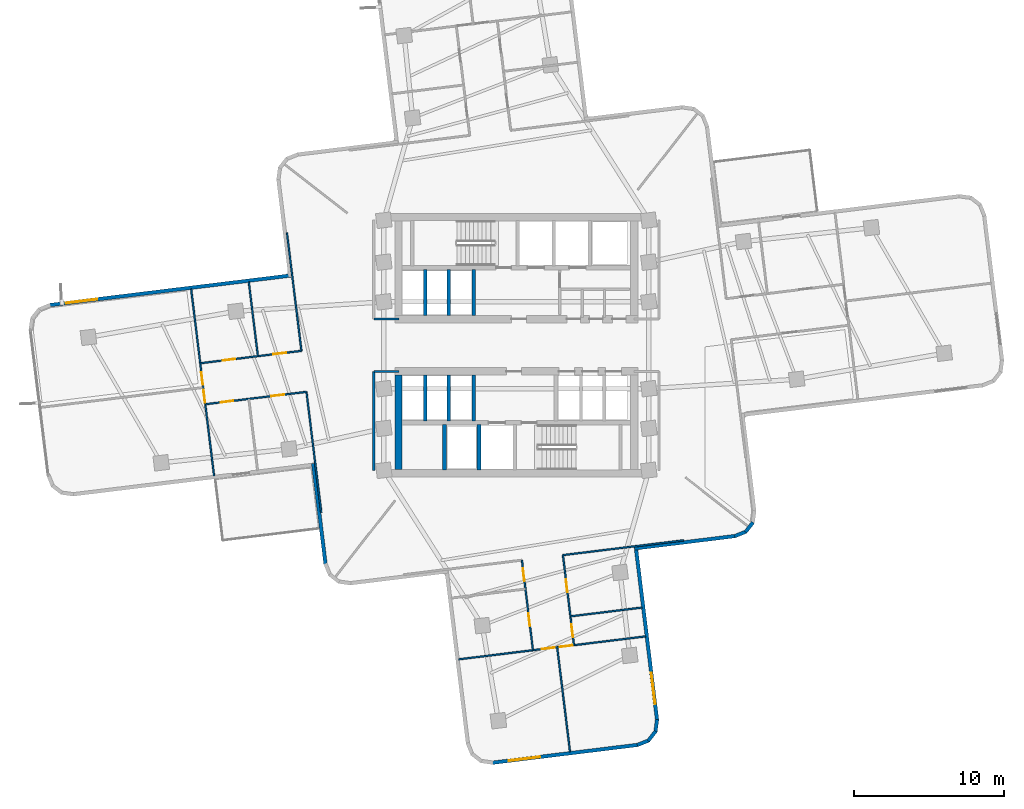
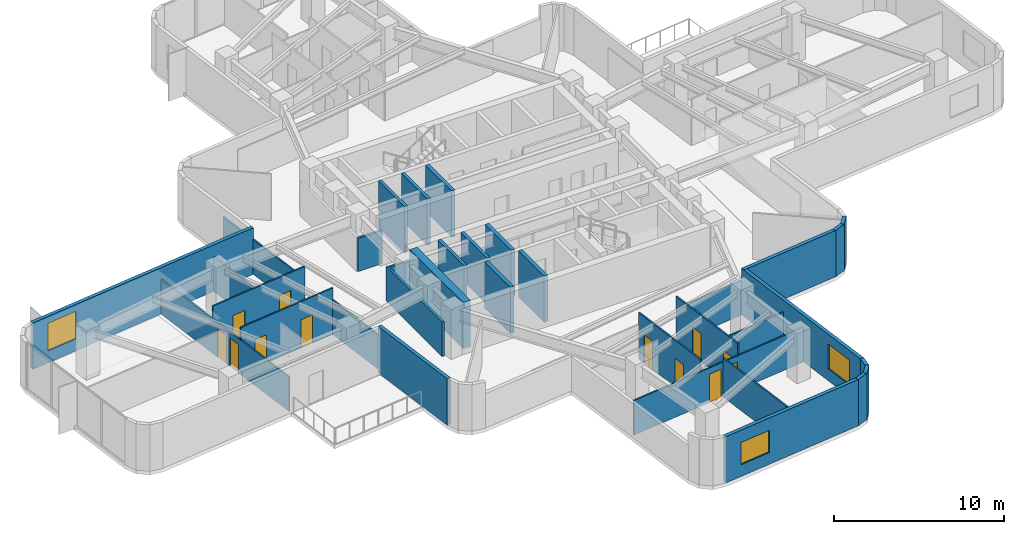
# One storey, part 7 of 13: 34 walls, 12 doors, 3 windows, 15 openings.
"""IFC4 building model written with IfcOpenShell, lengths in metres."""

from ifc_helpers import new_model, si_unit, direction, frame, frame_2d, origin, place, context, subcontext, project, spatial, rectangle, extrude, material, layer, layer_set, type_object, element, fill, save


model = new_model("IFC4")

# Units and contexts
model_context = context("Model", 3, precision=1e-05, world=origin(), true_north=direction((0.0, 1.0)))
body_context = subcontext(model_context, "Body", "Model", "MODEL_VIEW")
ifc_project = project(units=[si_unit("LENGTHUNIT", "METRE"), si_unit("AREAUNIT", "SQUARE_METRE"), si_unit("VOLUMEUNIT", "CUBIC_METRE"), si_unit("PLANEANGLEUNIT", "RADIAN"), si_unit("MASSUNIT", "GRAM", prefix="KILO")], contexts=[model_context])

# Site, building, storey
site_placement = place(None, origin())
site = spatial("IfcSite", under=ifc_project, at=site_placement, CompositionType="ELEMENT")
building_placement = place(site_placement, origin())
building = spatial("IfcBuilding", under=site, at=building_placement, Name="Solmarez Civic Tower", CompositionType="ELEMENT")
storey_placement = place(building_placement, frame((0.0, 0.0, 82.080078125)))
storey = spatial("IfcBuildingStorey", under=building, at=storey_placement, Name="L21", CompositionType="ELEMENT", Elevation=82.080078125)

# Wall
ifc_material_1 = material(Name="Concrete C60/75", Category="concrete")
ifc_layer_1 = layer(ifc_material_1, 0.5)
ifc_layer_set_1 = layer_set([ifc_layer_1], Name="Concrete C60/75")
wall_type_1 = type_object("IfcWallType", Name="WALL-CORE-500", PredefinedType="SHEAR", material=ifc_layer_set_1)
wall_1_placement = place(storey_placement, frame((-7.8701171875, -8.31005859375, 0.0), z_axis=(0.0, 0.0, 1.0), x_axis=(0.0, 1.0, 0.0)))
element("IfcWall", 1, at=wall_1_placement, inside=storey, type_object=wall_type_1, Name="L21 Split-Core Structural Wall SCW-W-L21", PredefinedType="SHEAR", context=body_context, shape_type="SweptSolid", body=[
    extrude(rectangle(XDim=6.31005859375, YDim=0.5, at=frame_2d((3.155029296875, 0.0))), origin(), (0.0, 0.0, 1.0), 3.33984375),
])

# Wall, opening, window
ifc_material_2 = material(Name="Precast concrete C40/50", Category="concrete")
ifc_layer_2 = layer(ifc_material_2, 0.239990234375)
ifc_layer_set_2 = layer_set([ifc_layer_2], Name="Precast concrete C40/50")
wall_type_2 = type_object("IfcWallType", Name="WALL-EXT-240", PredefinedType="SOLIDWALL", material=ifc_layer_set_2)
wall_2_placement = place(storey_placement, frame((-31.1689453125, 2.681884765625, 0.0), z_axis=(0.0, 0.0, 1.0), x_axis=(0.992548484973, 0.121850338438, 0.0)))
wall_2 = element("IfcWall", 2, at=wall_2_placement, inside=storey, type_object=wall_type_2, Name="L21 Exterior Precast Wall 10", PredefinedType="SOLIDWALL", context=body_context, shape_type="SweptSolid", body=[
    extrude(rectangle(XDim=16.275390625, YDim=0.239990234375, at=frame_2d((8.1376953125, 0.0))), origin(), (0.0, 0.0, 1.0), 3.33984375),
])
opening_1_placement = place(wall_2_placement, frame((1.10009765625, 0.0, 0.85009765625)))
opening_1 = element("IfcOpeningElement", 3, at=opening_1_placement, cuts=wall_2, Name="Opening W-03", PredefinedType="OPENING", context=body_context, shape_type="SweptSolid", body=[
    extrude(rectangle(XDim=2.10009765625, YDim=2.0, at=frame_2d((1.050048828125, 1.0))), frame((0.0, 0.1298828125, 0.0), z_axis=(0.0, -1.0, 0.0), x_axis=(1.0, 0.0, 0.0)), (0.0, 0.0, 1.0), 0.260009765625),
])
ifc_material_3 = material(Name="Solar Control Bronze-Tinted Insulating Glass", Category="glass")
window_type_1 = type_object("IfcWindowType", Name="WIN-2100X2000", PartitioningType="SINGLE_PANEL", PredefinedType="WINDOW", material=ifc_material_3)
window_1_placement = place(opening_1_placement, origin())
window_1 = element("IfcWindow", 4, at=window_1_placement, inside=storey, type_object=window_type_1, Name="L21 Exterior Facade Window 10", OverallHeight=2.0, OverallWidth=2.10009765625, PartitioningType="SINGLE_PANEL", PredefinedType="WINDOW", context=body_context, shape_type="SweptSolid", body=[
    extrude(rectangle(XDim=2.10009765625, YDim=2.0, at=frame_2d((1.050048828125, 1.0))), frame((0.0, 0.030029296875, 0.0), z_axis=(0.0, -1.0, 0.0), x_axis=(1.0, 0.0, 0.0)), (0.0, 0.0, 1.0), 0.06005859375),
])
fill(opening_1, window_1)

# Walls
wall_3_placement = place(storey_placement, frame((15.804931640625, -11.83203125, 0.0), z_axis=(0.0, 0.0, 1.0), x_axis=(-0.614397431824, -0.788996702001, 0.0)))
element("IfcWall", 5, at=wall_3_placement, inside=storey, type_object=wall_type_2, Name="L21 Exterior Precast Wall 51", PredefinedType="SOLIDWALL", context=body_context, shape_type="SweptSolid", body=[
    extrude(rectangle(XDim=0.813720703125, YDim=0.239990234375, at=frame_2d((0.40673828125, 0.0))), origin(), (0.0, 0.0, 1.0), 3.33984375),
])
wall_4_placement = place(storey_placement, frame((15.343017578125, -12.445068359375, 0.0), z_axis=(0.0, 0.0, 1.0), x_axis=(-0.927724225254, -0.37326634174, 0.0)))
element("IfcWall", 6, at=wall_4_placement, inside=storey, type_object=wall_type_2, Name="L21 Exterior Precast Wall 52", PredefinedType="SOLIDWALL", context=body_context, shape_type="SweptSolid", body=[
    extrude(rectangle(XDim=0.830078125, YDim=0.239990234375, at=frame_2d((0.4150390625, 0.0))), origin(), (0.0, 0.0, 1.0), 3.33984375),
])
wall_5_placement = place(storey_placement, frame((14.62109375, -12.742919921875, 0.0), z_axis=(0.0, 0.0, 1.0), x_axis=(-0.992536263595, -0.121949848087, 0.0)))
element("IfcWall", 7, at=wall_5_placement, inside=storey, type_object=wall_type_2, Name="L21 Exterior Precast Wall 53", PredefinedType="SOLIDWALL", context=body_context, shape_type="SweptSolid", body=[
    extrude(rectangle(XDim=6.774658203125, YDim=0.239990234375, at=frame_2d((3.38720703125, 0.0))), origin(), (0.0, 0.0, 1.0), 3.33984375),
])

# Wall, opening, window
wall_6_placement = place(storey_placement, frame((7.97998046875, -13.4619140625, 0.0), z_axis=(0.0, 0.0, 1.0), x_axis=(0.121890578705, -0.992543544044, 0.0)))
wall_6 = element("IfcWall", 8, at=wall_6_placement, inside=storey, type_object=wall_type_2, Name="L21 Exterior Precast Wall 56", PredefinedType="SOLIDWALL", context=body_context, shape_type="SweptSolid", body=[
    extrude(rectangle(XDim=11.67529296875, YDim=0.239990234375, at=frame_2d((5.837646484375, 0.0))), origin(), (0.0, 0.0, 1.0), 3.33984375),
])
opening_2_placement = place(wall_6_placement, frame((8.47509765625, 0.0, 0.85009765625)))
opening_2 = element("IfcOpeningElement", 9, at=opening_2_placement, cuts=wall_6, Name="Opening W-07", PredefinedType="OPENING", context=body_context, shape_type="SweptSolid", body=[
    extrude(rectangle(XDim=2.10009765625, YDim=1.800048828125, at=frame_2d((1.050048828125, 0.89990234375))), frame((0.0, 0.1298828125, 0.0), z_axis=(0.0, -1.0, 0.0), x_axis=(1.0, 0.0, 0.0)), (0.0, 0.0, 1.0), 0.260009765625),
])
window_type_2 = type_object("IfcWindowType", Name="WIN-2100X1800", PartitioningType="SINGLE_PANEL", PredefinedType="WINDOW", material=ifc_material_3)
window_2_placement = place(opening_2_placement, origin())
window_2 = element("IfcWindow", 10, at=window_2_placement, inside=storey, type_object=window_type_2, Name="L21 Exterior Facade Window 56", OverallHeight=1.800048828125, OverallWidth=2.10009765625, PartitioningType="SINGLE_PANEL", PredefinedType="WINDOW", context=body_context, shape_type="SweptSolid", body=[
    extrude(rectangle(XDim=2.10009765625, YDim=1.800048828125, at=frame_2d((1.050048828125, 0.89990234375))), frame((0.0, 0.030029296875, 0.0), z_axis=(0.0, -1.0, 0.0), x_axis=(1.0, 0.0, 0.0)), (0.0, 0.0, 1.0), 0.06005859375),
])
fill(opening_2, window_2)

# Walls
wall_7_placement = place(storey_placement, frame((9.403076171875, -25.0, 0.0), z_axis=(0.0, 0.0, 1.0), x_axis=(-0.138376981782, -0.990379629694, 0.0)))
element("IfcWall", 11, at=wall_7_placement, inside=storey, type_object=wall_type_2, Name="L21 Exterior Precast Wall 57", PredefinedType="SOLIDWALL", context=body_context, shape_type="SweptSolid", body=[
    extrude(rectangle(XDim=0.8310546875, YDim=0.239990234375, at=frame_2d((0.41552734375, 0.0))), origin(), (0.0, 0.0, 1.0), 3.33984375),
])
wall_8_placement = place(storey_placement, frame((9.305908203125, -25.778076171875, 0.0), z_axis=(0.0, 0.0, 1.0), x_axis=(-0.614542882467, -0.788883416995, 0.0)))
element("IfcWall", 12, at=wall_8_placement, inside=storey, type_object=wall_type_2, Name="L21 Exterior Precast Wall 58", PredefinedType="SOLIDWALL", context=body_context, shape_type="SweptSolid", body=[
    extrude(rectangle(XDim=0.813720703125, YDim=0.239990234375, at=frame_2d((0.40673828125, 0.0))), origin(), (0.0, 0.0, 1.0), 3.33984375),
])
wall_9_placement = place(storey_placement, frame((8.843994140625, -26.39111328125, 0.0), z_axis=(0.0, 0.0, 1.0), x_axis=(-0.92756002783, -0.37367418264, 0.0)))
element("IfcWall", 13, at=wall_9_placement, inside=storey, type_object=wall_type_2, Name="L21 Exterior Precast Wall 59", PredefinedType="SOLIDWALL", context=body_context, shape_type="SweptSolid", body=[
    extrude(rectangle(XDim=0.8291015625, YDim=0.239990234375, at=frame_2d((0.41455078125, 0.0))), origin(), (0.0, 0.0, 1.0), 3.33984375),
])

# Wall, opening, window
wall_10_placement = place(storey_placement, frame((8.123046875, -26.68896484375, 0.0), z_axis=(0.0, 0.0, 1.0), x_axis=(-0.992547632308, -0.12185728374, 0.0)))
wall_10 = element("IfcWall", 14, at=wall_10_placement, inside=storey, type_object=wall_type_2, Name="L21 Exterior Precast Wall 60", PredefinedType="SOLIDWALL", context=body_context, shape_type="SweptSolid", body=[
    extrude(rectangle(XDim=9.799072265625, YDim=0.239990234375, at=frame_2d((4.8994140625, 0.0))), origin(), (0.0, 0.0, 1.0), 3.33984375),
])
opening_3_placement = place(wall_10_placement, frame((6.593017578125, 0.0, 0.85009765625)))
opening_3 = element("IfcOpeningElement", 15, at=opening_3_placement, cuts=wall_10, Name="Opening W-11", PredefinedType="OPENING", context=body_context, shape_type="SweptSolid", body=[
    extrude(rectangle(XDim=2.10009765625, YDim=1.60009765625, at=frame_2d((1.050048828125, 0.800048828125))), frame((0.0, 0.1298828125, 0.0), z_axis=(0.0, -1.0, 0.0), x_axis=(1.0, 0.0, 0.0)), (0.0, 0.0, 1.0), 0.260009765625),
])
window_type_3 = type_object("IfcWindowType", Name="WIN-2100X1600", PartitioningType="SINGLE_PANEL", PredefinedType="WINDOW", material=ifc_material_3)
window_3_placement = place(opening_3_placement, origin())
window_3 = element("IfcWindow", 16, at=window_3_placement, inside=storey, type_object=window_type_3, Name="L21 Exterior Facade Window 60", OverallHeight=1.60009765625, OverallWidth=2.10009765625, PartitioningType="SINGLE_PANEL", PredefinedType="WINDOW", context=body_context, shape_type="SweptSolid", body=[
    extrude(rectangle(XDim=2.10009765625, YDim=1.60009765625, at=frame_2d((1.050048828125, 0.800048828125))), frame((0.0, 0.030029296875, 0.0), z_axis=(0.0, -1.0, 0.0), x_axis=(1.0, 0.0, 0.0)), (0.0, 0.0, 1.0), 0.06005859375),
])
fill(opening_3, window_3)

# Walls
wall_11_placement = place(storey_placement, frame((-12.742919921875, -14.62109375, 0.0), z_axis=(0.0, 0.0, 1.0), x_axis=(-0.121949848087, 0.992536263595, 0.0)))
element("IfcWall", 17, at=wall_11_placement, inside=storey, type_object=wall_type_2, Name="L21 Exterior Precast Wall 71", PredefinedType="SOLIDWALL", context=body_context, shape_type="SweptSolid", body=[
    extrude(rectangle(XDim=6.774658203125, YDim=0.239990234375, at=frame_2d((3.38720703125, 0.0))), origin(), (0.0, 0.0, 1.0), 3.33984375),
])
ifc_material_4 = material(Name="Gypsum Board Acoustic Steel-Stud Partition", Category="steel")
ifc_layer_3 = layer(ifc_material_4, 0.14990234375)
ifc_layer_set_3 = layer_set([ifc_layer_3], Name="Gypsum Board Acoustic Steel-Stud Partition")
wall_type_3 = type_object("IfcWallType", Name="WALL-INT-FIRE-150", PredefinedType="PARTITIONING", material=ifc_layer_set_3)
wall_12_placement = place(storey_placement, frame((-7.85009765625, 1.75, 0.0), z_axis=(0.0, 0.0, 1.0), x_axis=(-1.0, 0.0, 0.0)))
element("IfcWall", 18, at=wall_12_placement, inside=storey, type_object=wall_type_3, Name="L21 Interior Partition CHW-L21-WN3", PredefinedType="PARTITIONING", context=body_context, shape_type="SweptSolid", body=[
    extrude(rectangle(XDim=1.669921875, YDim=0.14990234375, at=frame_2d((0.8349609375, 0.0))), origin(), (0.0, 0.0, 1.0), 2.405029296875),
])
wall_13_placement = place(storey_placement, frame((-9.52001953125, -8.3798828125, 0.0), z_axis=(0.0, 0.0, 1.0), x_axis=(0.0, 1.0, 0.0)))
element("IfcWall", 19, at=wall_13_placement, inside=storey, type_object=wall_type_3, Name="L21 Interior Partition CHW-L21-WS1", PredefinedType="PARTITIONING", context=body_context, shape_type="SweptSolid", body=[
    extrude(rectangle(XDim=6.6298828125, YDim=0.14990234375, at=frame_2d((3.31494140625, 0.0))), origin(), (0.0, 0.0, 1.0), 2.48583984375),
])
wall_14_placement = place(storey_placement, frame((-7.85009765625, -1.75, 0.0), z_axis=(0.0, 0.0, 1.0), x_axis=(-1.0, 0.0, 0.0)))
element("IfcWall", 20, at=wall_14_placement, inside=storey, type_object=wall_type_3, Name="L21 Interior Partition CHW-L21-WS3", PredefinedType="PARTITIONING", context=body_context, shape_type="SweptSolid", body=[
    extrude(rectangle(XDim=1.669921875, YDim=0.14990234375, at=frame_2d((0.8349609375, 0.0))), origin(), (0.0, 0.0, 1.0), 2.405029296875),
])
ifc_layer_4 = layer(ifc_material_4, 0.10009765625)
ifc_layer_set_4 = layer_set([ifc_layer_4], Name="Gypsum Board Acoustic Steel-Stud Partition")
wall_type_4 = type_object("IfcWallType", Name="WALL-INT-PART-100", PredefinedType="PARTITIONING", material=ifc_layer_set_4)
wall_15_placement = place(storey_placement, frame((-14.01708984375, -3.10107421875, 0.0), z_axis=(0.0, 0.0, 1.0), x_axis=(0.122045971517, -0.992524448483, 0.0)))
element("IfcWall", 21, at=wall_15_placement, inside=storey, type_object=wall_type_4, Name="L21 Interior Partition PT-L21-W-EFL", PredefinedType="PARTITIONING", context=body_context, shape_type="SweptSolid", body=[
    extrude(rectangle(XDim=8.129638671875, YDim=0.10009765625, at=frame_2d((4.06494140625, 0.0))), origin(), (0.0, 0.0, 1.0), 2.48583984375),
])
wall_16_placement = place(storey_placement, frame((-15.320068359375, 7.509033203125, 0.0), z_axis=(0.0, 0.0, 1.0), x_axis=(0.122001160868, -0.992529957607, 0.0)))
element("IfcWall", 22, at=wall_16_placement, inside=storey, type_object=wall_type_4, Name="L21 Interior Partition PT-L21-W-EFR", PredefinedType="PARTITIONING", context=body_context, shape_type="SweptSolid", body=[
    extrude(rectangle(XDim=7.950439453125, YDim=0.10009765625, at=frame_2d((3.97509765625, 0.0))), origin(), (0.0, 0.0, 1.0), 2.48583984375),
])
wall_17_placement = place(storey_placement, frame((-17.868896484375, 4.22900390625, 0.0), z_axis=(0.0, 0.0, 1.0), x_axis=(0.121993075508, -0.992530951421, 0.0)))
element("IfcWall", 23, at=wall_17_placement, inside=storey, type_object=wall_type_4, Name="L21 Interior Partition PT-L21-W-RM", PredefinedType="PARTITIONING", context=body_context, shape_type="SweptSolid", body=[
    extrude(rectangle(XDim=4.97509765625, YDim=0.10009765625, at=frame_2d((2.487548828125, 0.0))), origin(), (0.0, 0.0, 1.0), 2.48583984375),
])

# Wall, openings, doors
wall_18_placement = place(storey_placement, frame((-20.77490234375, -3.94091796875, 0.0), z_axis=(0.0, 0.0, 1.0), x_axis=(0.992549540745, 0.121841738199, 0.0)))
wall_18 = element("IfcWall", 24, at=wall_18_placement, inside=storey, type_object=wall_type_4, Name="L21 Interior Partition PT-L21-W-SL", PredefinedType="PARTITIONING", context=body_context, shape_type="SweptSolid", body=[
    extrude(rectangle(XDim=6.810791015625, YDim=0.10009765625, at=frame_2d((3.4052734375, 0.0))), origin(), (0.0, 0.0, 1.0), 3.33984375),
])
opening_4_placement = place(wall_18_placement, frame((4.44091796875, 0.0, 0.0)))
opening_4 = element("IfcOpeningElement", 25, at=opening_4_placement, cuts=wall_18, Name="Opening D-14", PredefinedType="OPENING", context=body_context, shape_type="SweptSolid", body=[
    extrude(rectangle(XDim=0.860107421875, YDim=2.0400390625, at=frame_2d((0.43017578125, 1.02001953125))), frame((0.0, 0.06005859375, 0.0), z_axis=(0.0, -1.0, 0.0), x_axis=(1.0, 0.0, 0.0)), (0.0, 0.0, 1.0), 0.1201171875),
])
opening_5_placement = place(wall_18_placement, frame((1.035888671875, 0.0, 0.0)))
opening_5 = element("IfcOpeningElement", 26, at=opening_5_placement, cuts=wall_18, Name="Opening D-14", PredefinedType="OPENING", context=body_context, shape_type="SweptSolid", body=[
    extrude(rectangle(XDim=0.860107421875, YDim=2.0400390625, at=frame_2d((0.43017578125, 1.02001953125))), frame((0.0, 0.06005859375, 0.0), z_axis=(0.0, -1.0, 0.0), x_axis=(1.0, 0.0, 0.0)), (0.0, 0.0, 1.0), 0.1201171875),
])
ifc_material_5 = material(Name="Timber Storage and Pantry Door", Category="wood")
door_type = type_object("IfcDoorType", Name="DOOR-INT-850", OperationType="NOTDEFINED", PredefinedType="DOOR", material=ifc_material_5)
door_1_placement = place(opening_4_placement, origin())
door_1 = element("IfcDoor", 27, at=door_1_placement, inside=storey, type_object=door_type, Name="L21 Public Reading Room First West Door", OperationType="SINGLE_SWING_LEFT", OverallHeight=2.0400390625, OverallWidth=0.860107421875, PredefinedType="DOOR", context=body_context, shape_type="SweptSolid", body=[
    extrude(rectangle(XDim=0.860107421875, YDim=2.0400390625, at=frame_2d((0.43017578125, 1.02001953125))), frame((0.0, 0.02490234375, 0.0), z_axis=(0.0, -1.0, 0.0), x_axis=(1.0, 0.0, 0.0)), (0.0, 0.0, 1.0), 0.050048828125),
])
fill(opening_4, door_1)
door_2_placement = place(opening_5_placement, origin())
door_2 = element("IfcDoor", 28, at=door_2_placement, inside=storey, type_object=door_type, Name="L21 Delegates Study Lounge Second West Door", OperationType="SINGLE_SWING_RIGHT", OverallHeight=2.0400390625, OverallWidth=0.860107421875, PredefinedType="DOOR", context=body_context, shape_type="SweptSolid", body=[
    extrude(rectangle(XDim=0.860107421875, YDim=2.0400390625, at=frame_2d((0.43017578125, 1.02001953125))), frame((0.0, 0.02490234375, 0.0), z_axis=(0.0, -1.0, 0.0), x_axis=(1.0, 0.0, 0.0)), (0.0, 0.0, 1.0), 0.050048828125),
])
fill(opening_5, door_2)

wall_19_placement = place(storey_placement, frame((-14.35205078125, -0.3720703125, 0.0), z_axis=(0.0, 0.0, 1.0), x_axis=(-0.992547411675, -0.121859080812, 0.0)))
wall_19 = element("IfcWall", 29, at=wall_19_placement, inside=storey, type_object=wall_type_4, Name="L21 Interior Partition PT-L21-W-SR", PredefinedType="PARTITIONING", context=body_context, shape_type="SweptSolid", body=[
    extrude(rectangle(XDim=6.809814453125, YDim=0.10009765625, at=frame_2d((3.40478515625, 0.0))), origin(), (0.0, 0.0, 1.0), 3.33984375),
])
opening_6_placement = place(wall_19_placement, frame((1.034912109375, 0.0, 0.0)))
opening_6 = element("IfcOpeningElement", 30, at=opening_6_placement, cuts=wall_19, Name="Opening D-14", PredefinedType="OPENING", context=body_context, shape_type="SweptSolid", body=[
    extrude(rectangle(XDim=0.860107421875, YDim=2.0400390625, at=frame_2d((0.43017578125, 1.02001953125))), frame((0.0, 0.06005859375, 0.0), z_axis=(0.0, -1.0, 0.0), x_axis=(1.0, 0.0, 0.0)), (0.0, 0.0, 1.0), 0.1201171875),
])
opening_7_placement = place(wall_19_placement, frame((4.43994140625, 0.0, 0.0)))
opening_7 = element("IfcOpeningElement", 31, at=opening_7_placement, cuts=wall_19, Name="Opening D-14", PredefinedType="OPENING", context=body_context, shape_type="SweptSolid", body=[
    extrude(rectangle(XDim=0.860107421875, YDim=2.0400390625, at=frame_2d((0.43017578125, 1.02001953125))), frame((0.0, 0.06005859375, 0.0), z_axis=(0.0, -1.0, 0.0), x_axis=(1.0, 0.0, 0.0)), (0.0, 0.0, 1.0), 0.1201171875),
])
door_3_placement = place(opening_6_placement, origin())
door_3 = element("IfcDoor", 32, at=door_3_placement, inside=storey, type_object=door_type, Name="L21 Wellness Fitness Room Third West Door", OperationType="SINGLE_SWING_RIGHT", OverallHeight=2.0400390625, OverallWidth=0.860107421875, PredefinedType="DOOR", context=body_context, shape_type="SweptSolid", body=[
    extrude(rectangle(XDim=0.860107421875, YDim=2.0400390625, at=frame_2d((0.43017578125, 1.02001953125))), frame((0.0, 0.02490234375, 0.0), z_axis=(0.0, -1.0, 0.0), x_axis=(1.0, 0.0, 0.0)), (0.0, 0.0, 1.0), 0.050048828125),
])
fill(opening_6, door_3)
door_4_placement = place(opening_7_placement, origin())
door_4 = element("IfcDoor", 33, at=door_4_placement, inside=storey, type_object=door_type, Name="L21 Citizen Legal Clinic Fourth West Door", OperationType="SINGLE_SWING_LEFT", OverallHeight=2.0400390625, OverallWidth=0.860107421875, PredefinedType="DOOR", context=body_context, shape_type="SweptSolid", body=[
    extrude(rectangle(XDim=0.860107421875, YDim=2.0400390625, at=frame_2d((0.43017578125, 1.02001953125))), frame((0.0, 0.02490234375, 0.0), z_axis=(0.0, -1.0, 0.0), x_axis=(1.0, 0.0, 0.0)), (0.0, 0.0, 1.0), 0.050048828125),
])
fill(opening_7, door_4)

wall_20_placement = place(storey_placement, frame((-20.18701171875, -8.719970703125, 0.0), z_axis=(0.0, 0.0, 1.0), x_axis=(-0.121878209661, 0.992545062962, 0.0)))
wall_20 = element("IfcWall", 34, at=wall_20_placement, inside=storey, type_object=wall_type_4, Name="L21 Interior Partition PT-L21-W-END", PredefinedType="PARTITIONING", context=body_context, shape_type="SweptSolid", body=[
    extrude(rectangle(XDim=12.56982421875, YDim=0.10009765625, at=frame_2d((6.284912109375, 0.0))), origin(), (0.0, 0.0, 1.0), 2.48583984375),
])
opening_8_placement = place(wall_20_placement, frame((6.114990234375, 0.0, 0.0)))
opening_8 = element("IfcOpeningElement", 35, at=opening_8_placement, cuts=wall_20, Name="Opening D-14", PredefinedType="OPENING", context=body_context, shape_type="SweptSolid", body=[
    extrude(rectangle(XDim=0.860107421875, YDim=2.0400390625, at=frame_2d((0.43017578125, 1.02001953125))), frame((0.0, 0.06005859375, 0.0), z_axis=(0.0, -1.0, 0.0), x_axis=(1.0, 0.0, 0.0)), (0.0, 0.0, 1.0), 0.1201171875),
])
opening_9_placement = place(wall_20_placement, frame((4.9150390625, 0.0, 0.0)))
opening_9 = element("IfcOpeningElement", 36, at=opening_9_placement, cuts=wall_20, Name="Opening D-14", PredefinedType="OPENING", context=body_context, shape_type="SweptSolid", body=[
    extrude(rectangle(XDim=0.860107421875, YDim=2.0400390625, at=frame_2d((0.43017578125, 1.02001953125))), frame((0.0, 0.06005859375, 0.0), z_axis=(0.0, -1.0, 0.0), x_axis=(1.0, 0.0, 0.0)), (0.0, 0.0, 1.0), 0.1201171875),
])
door_5_placement = place(opening_8_placement, origin())
door_5 = element("IfcDoor", 37, at=door_5_placement, inside=storey, type_object=door_type, Name="L21 Citizen Legal Clinic Sixth West Door", OperationType="SINGLE_SWING_RIGHT", OverallHeight=2.0400390625, OverallWidth=0.860107421875, PredefinedType="DOOR", context=body_context, shape_type="SweptSolid", body=[
    extrude(rectangle(XDim=0.860107421875, YDim=2.0400390625, at=frame_2d((0.43017578125, 1.02001953125))), frame((0.0, 0.02490234375, 0.0), z_axis=(0.0, -1.0, 0.0), x_axis=(1.0, 0.0, 0.0)), (0.0, 0.0, 1.0), 0.050048828125),
])
fill(opening_8, door_5)
door_6_placement = place(opening_9_placement, origin())
door_6 = element("IfcDoor", 38, at=door_6_placement, inside=storey, type_object=door_type, Name="L21 Wellness Fitness Room Fifth West Door", OperationType="SINGLE_SWING_LEFT", OverallHeight=2.0400390625, OverallWidth=0.860107421875, PredefinedType="DOOR", context=body_context, shape_type="SweptSolid", body=[
    extrude(rectangle(XDim=0.860107421875, YDim=2.0400390625, at=frame_2d((0.43017578125, 1.02001953125))), frame((0.0, 0.02490234375, 0.0), z_axis=(0.0, -1.0, 0.0), x_axis=(1.0, 0.0, 0.0)), (0.0, 0.0, 1.0), 0.050048828125),
])
fill(opening_9, door_6)

# Walls
wall_21_placement = place(storey_placement, frame((3.10107421875, -14.01708984375, 0.0), z_axis=(0.0, 0.0, 1.0), x_axis=(0.992524448483, 0.122045971517, 0.0)))
element("IfcWall", 39, at=wall_21_placement, inside=storey, type_object=wall_type_4, Name="L21 Interior Partition PT-L21-S-EFL", PredefinedType="PARTITIONING", context=body_context, shape_type="SweptSolid", body=[
    extrude(rectangle(XDim=8.129638671875, YDim=0.10009765625, at=frame_2d((4.06494140625, 0.0))), origin(), (0.0, 0.0, 1.0), 2.48583984375),
])
wall_22_placement = place(storey_placement, frame((3.633056640625, -18.10205078125, 0.0), z_axis=(0.0, 0.0, 1.0), x_axis=(0.992555014783, 0.121797137196, 0.0)))
element("IfcWall", 40, at=wall_22_placement, inside=storey, type_object=wall_type_4, Name="L21 Interior Partition PT-L21-S-LM", PredefinedType="PARTITIONING", context=body_context, shape_type="SweptSolid", body=[
    extrude(rectangle(XDim=4.794677734375, YDim=0.10009765625, at=frame_2d((2.3974609375, 0.0))), origin(), (0.0, 0.0, 1.0), 2.48583984375),
])

# Wall, openings, doors
wall_23_placement = place(storey_placement, frame((3.85009765625, -20.030029296875, 0.0), z_axis=(0.0, 0.0, 1.0), x_axis=(-0.121942127656, 0.99253721215, 0.0)))
wall_23 = element("IfcWall", 41, at=wall_23_placement, inside=storey, type_object=wall_type_4, Name="L21 Interior Partition PT-L21-S-SL", PredefinedType="PARTITIONING", context=body_context, shape_type="SweptSolid", body=[
    extrude(rectangle(XDim=6.060302734375, YDim=0.10009765625, at=frame_2d((3.0302734375, 0.0))), origin(), (0.0, 0.0, 1.0), 3.33984375),
])
opening_10_placement = place(wall_23_placement, frame((3.570068359375, 0.0, 0.0)))
opening_10 = element("IfcOpeningElement", 42, at=opening_10_placement, cuts=wall_23, Name="Opening D-14", PredefinedType="OPENING", context=body_context, shape_type="SweptSolid", body=[
    extrude(rectangle(XDim=0.860107421875, YDim=2.0400390625, at=frame_2d((0.43017578125, 1.02001953125))), frame((0.0, 0.06005859375, 0.0), z_axis=(0.0, -1.0, 0.0), x_axis=(1.0, 0.0, 0.0)), (0.0, 0.0, 1.0), 0.1201171875),
])
opening_11_placement = place(wall_23_placement, frame((0.5400390625, 0.0, 0.0)))
opening_11 = element("IfcOpeningElement", 43, at=opening_11_placement, cuts=wall_23, Name="Opening D-14", PredefinedType="OPENING", context=body_context, shape_type="SweptSolid", body=[
    extrude(rectangle(XDim=0.860107421875, YDim=2.0400390625, at=frame_2d((0.43017578125, 1.02001953125))), frame((0.0, 0.06005859375, 0.0), z_axis=(0.0, -1.0, 0.0), x_axis=(1.0, 0.0, 0.0)), (0.0, 0.0, 1.0), 0.1201171875),
])
door_7_placement = place(opening_10_placement, origin())
door_7 = element("IfcDoor", 44, at=door_7_placement, inside=storey, type_object=door_type, Name="L21 Delegates Study Lounge First South Door", OperationType="SINGLE_SWING_LEFT", OverallHeight=2.0400390625, OverallWidth=0.860107421875, PredefinedType="DOOR", context=body_context, shape_type="SweptSolid", body=[
    extrude(rectangle(XDim=0.860107421875, YDim=2.0400390625, at=frame_2d((0.43017578125, 1.02001953125))), frame((0.0, 0.02490234375, 0.0), z_axis=(0.0, -1.0, 0.0), x_axis=(1.0, 0.0, 0.0)), (0.0, 0.0, 1.0), 0.050048828125),
])
fill(opening_10, door_7)
door_8_placement = place(opening_11_placement, origin())
door_8 = element("IfcDoor", 45, at=door_8_placement, inside=storey, type_object=door_type, Name="L21 Wellness Fitness Room Second South Door", OperationType="SINGLE_SWING_RIGHT", OverallHeight=2.0400390625, OverallWidth=0.860107421875, PredefinedType="DOOR", context=body_context, shape_type="SweptSolid", body=[
    extrude(rectangle(XDim=0.860107421875, YDim=2.0400390625, at=frame_2d((0.43017578125, 1.02001953125))), frame((0.0, 0.02490234375, 0.0), z_axis=(0.0, -1.0, 0.0), x_axis=(1.0, 0.0, 0.0)), (0.0, 0.0, 1.0), 0.050048828125),
])
fill(opening_11, door_8)

wall_24_placement = place(storey_placement, frame((0.3720703125, -14.35205078125, 0.0), z_axis=(0.0, 0.0, 1.0), x_axis=(0.121807732679, -0.992553714546, 0.0)))
wall_24 = element("IfcWall", 46, at=wall_24_placement, inside=storey, type_object=wall_type_4, Name="L21 Interior Partition PT-L21-S-SR", PredefinedType="PARTITIONING", context=body_context, shape_type="SweptSolid", body=[
    extrude(rectangle(XDim=6.05908203125, YDim=0.10009765625, at=frame_2d((3.029541015625, 0.0))), origin(), (0.0, 0.0, 1.0), 3.33984375),
])
opening_12_placement = place(wall_24_placement, frame((0.5400390625, 0.0, 0.0)))
opening_12 = element("IfcOpeningElement", 47, at=opening_12_placement, cuts=wall_24, Name="Opening D-14", PredefinedType="OPENING", context=body_context, shape_type="SweptSolid", body=[
    extrude(rectangle(XDim=0.860107421875, YDim=2.0400390625, at=frame_2d((0.43017578125, 1.02001953125))), frame((0.0, 0.06005859375, 0.0), z_axis=(0.0, -1.0, 0.0), x_axis=(1.0, 0.0, 0.0)), (0.0, 0.0, 1.0), 0.1201171875),
])
opening_13_placement = place(wall_24_placement, frame((3.570068359375, 0.0, 0.0)))
opening_13 = element("IfcOpeningElement", 48, at=opening_13_placement, cuts=wall_24, Name="Opening D-14", PredefinedType="OPENING", context=body_context, shape_type="SweptSolid", body=[
    extrude(rectangle(XDim=0.860107421875, YDim=2.0400390625, at=frame_2d((0.43017578125, 1.02001953125))), frame((0.0, 0.06005859375, 0.0), z_axis=(0.0, -1.0, 0.0), x_axis=(1.0, 0.0, 0.0)), (0.0, 0.0, 1.0), 0.1201171875),
])
door_9_placement = place(opening_12_placement, origin())
door_9 = element("IfcDoor", 49, at=door_9_placement, inside=storey, type_object=door_type, Name="L21 Citizen Legal Clinic Third South Door", OperationType="SINGLE_SWING_RIGHT", OverallHeight=2.0400390625, OverallWidth=0.860107421875, PredefinedType="DOOR", context=body_context, shape_type="SweptSolid", body=[
    extrude(rectangle(XDim=0.860107421875, YDim=2.0400390625, at=frame_2d((0.43017578125, 1.02001953125))), frame((0.0, 0.02490234375, 0.0), z_axis=(0.0, -1.0, 0.0), x_axis=(1.0, 0.0, 0.0)), (0.0, 0.0, 1.0), 0.050048828125),
])
fill(opening_12, door_9)
door_10_placement = place(opening_13_placement, origin())
door_10 = element("IfcDoor", 50, at=door_10_placement, inside=storey, type_object=door_type, Name="L21 Public Reading Room Fourth South Door", OperationType="SINGLE_SWING_LEFT", OverallHeight=2.0400390625, OverallWidth=0.860107421875, PredefinedType="DOOR", context=body_context, shape_type="SweptSolid", body=[
    extrude(rectangle(XDim=0.860107421875, YDim=2.0400390625, at=frame_2d((0.43017578125, 1.02001953125))), frame((0.0, 0.02490234375, 0.0), z_axis=(0.0, -1.0, 0.0), x_axis=(1.0, 0.0, 0.0)), (0.0, 0.0, 1.0), 0.050048828125),
])
fill(opening_13, door_10)

# Wall
wall_25_placement = place(storey_placement, frame((2.735107421875, -20.22705078125, 0.0), z_axis=(0.0, 0.0, 1.0), x_axis=(0.121948085338, -0.992536480177, 0.0)))
element("IfcWall", 51, at=wall_25_placement, inside=storey, type_object=wall_type_4, Name="L21 Interior Partition PT-L21-S-TM", PredefinedType="PARTITIONING", context=body_context, shape_type="SweptSolid", body=[
    extrude(rectangle(XDim=6.985107421875, YDim=0.10009765625, at=frame_2d((3.49267578125, 0.0))), origin(), (0.0, 0.0, 1.0), 2.79296875),
])

# Wall, openings, doors
wall_26_placement = place(storey_placement, frame((8.62890625, -19.443115234375, 0.0), z_axis=(0.0, 0.0, 1.0), x_axis=(-0.992544774441, -0.121880559277, 0.0)))
wall_26 = element("IfcWall", 52, at=wall_26_placement, inside=storey, type_object=wall_type_4, Name="L21 Interior Partition PT-L21-S-END", PredefinedType="PARTITIONING", context=body_context, shape_type="SweptSolid", body=[
    extrude(rectangle(XDim=12.569580078125, YDim=0.10009765625, at=frame_2d((6.28466796875, 0.0))), origin(), (0.0, 0.0, 1.0), 2.48583984375),
])
opening_14_placement = place(wall_26_placement, frame((6.114990234375, 0.0, 0.0)))
opening_14 = element("IfcOpeningElement", 53, at=opening_14_placement, cuts=wall_26, Name="Opening D-14", PredefinedType="OPENING", context=body_context, shape_type="SweptSolid", body=[
    extrude(rectangle(XDim=0.860107421875, YDim=2.0400390625, at=frame_2d((0.43017578125, 1.02001953125))), frame((0.0, 0.06005859375, 0.0), z_axis=(0.0, -1.0, 0.0), x_axis=(1.0, 0.0, 0.0)), (0.0, 0.0, 1.0), 0.1201171875),
])
opening_15_placement = place(wall_26_placement, frame((4.9150390625, 0.0, 0.0)))
opening_15 = element("IfcOpeningElement", 54, at=opening_15_placement, cuts=wall_26, Name="Opening D-14", PredefinedType="OPENING", context=body_context, shape_type="SweptSolid", body=[
    extrude(rectangle(XDim=0.860107421875, YDim=2.0400390625, at=frame_2d((0.43017578125, 1.02001953125))), frame((0.0, 0.06005859375, 0.0), z_axis=(0.0, -1.0, 0.0), x_axis=(1.0, 0.0, 0.0)), (0.0, 0.0, 1.0), 0.1201171875),
])
door_11_placement = place(opening_14_placement, origin())
door_11 = element("IfcDoor", 55, at=door_11_placement, inside=storey, type_object=door_type, Name="L21 Public Reading Room Sixth South Door", OperationType="SINGLE_SWING_RIGHT", OverallHeight=2.0400390625, OverallWidth=0.860107421875, PredefinedType="DOOR", context=body_context, shape_type="SweptSolid", body=[
    extrude(rectangle(XDim=0.860107421875, YDim=2.0400390625, at=frame_2d((0.43017578125, 1.02001953125))), frame((0.0, 0.02490234375, 0.0), z_axis=(0.0, -1.0, 0.0), x_axis=(1.0, 0.0, 0.0)), (0.0, 0.0, 1.0), 0.050048828125),
])
fill(opening_14, door_11)
door_12_placement = place(opening_15_placement, origin())
door_12 = element("IfcDoor", 56, at=door_12_placement, inside=storey, type_object=door_type, Name="L21 Citizen Legal Clinic Fifth South Door", OperationType="SINGLE_SWING_LEFT", OverallHeight=2.0400390625, OverallWidth=0.860107421875, PredefinedType="DOOR", context=body_context, shape_type="SweptSolid", body=[
    extrude(rectangle(XDim=0.860107421875, YDim=2.0400390625, at=frame_2d((0.43017578125, 1.02001953125))), frame((0.0, 0.02490234375, 0.0), z_axis=(0.0, -1.0, 0.0), x_axis=(1.0, 0.0, 0.0)), (0.0, 0.0, 1.0), 0.050048828125),
])
fill(opening_15, door_12)

# Walls
ifc_material_6 = material(Name="Concrete C50/60", Category="concrete")
ifc_layer_5 = layer(ifc_material_6, 0.300048828125)
ifc_layer_set_5 = layer_set([ifc_layer_5], Name="Concrete C50/60")
wall_type_5 = type_object("IfcWallType", Name="WALL-STR-300", PredefinedType="SOLIDWALL", material=ifc_layer_set_5)
wall_27_placement = place(storey_placement, frame((-2.85009765625, 1.97998046875, 0.0), z_axis=(0.0, 0.0, 1.0), x_axis=(0.0, 1.0, 0.0)))
element("IfcWall", 57, at=wall_27_placement, inside=storey, type_object=wall_type_5, Name="L21 Split-Core Structural Wall SHW-NL1-L21", PredefinedType="SOLIDWALL", context=body_context, shape_type="SweptSolid", body=[
    extrude(rectangle(XDim=3.070068359375, YDim=0.25, at=frame_2d((1.53515625, 0.0))), origin(), (0.0, 0.0, 1.0), 3.33984375),
])
for number, where, z_axis, x_axis, name in (
    (58, (-2.5, -8.340087890625, 0.0), (0.0, 0.0, 1.0), (0.0, 1.0, 0.0), "L21 Split-Core Structural Wall SHW-S2-L21"),
    (59, (-4.800048828125, -8.340087890625, 0.0), (0.0, 0.0, 1.0), (0.0, 1.0, 0.0), "L21 Split-Core Structural Wall SHW-S3-L21"),
):
    element("IfcWall", number, at=place(storey_placement, frame(where, z_axis=z_axis, x_axis=x_axis)), inside=storey, type_object=wall_type_5, Name=name, PredefinedType="SOLIDWALL", context=body_context, shape_type="SweptSolid", body=[
        extrude(rectangle(XDim=3.0400390625, YDim=0.25, at=frame_2d((1.52001953125, 0.0))), origin(), (0.0, 0.0, 1.0), 3.33984375),
    ])
wall_28_placement = place(storey_placement, frame((-2.85009765625, -5.050048828125, 0.0), z_axis=(0.0, 0.0, 1.0), x_axis=(0.0, 1.0, 0.0)))
element("IfcWall", 60, at=wall_28_placement, inside=storey, type_object=wall_type_5, Name="L21 Split-Core Structural Wall SHW-SL1-L21", PredefinedType="SOLIDWALL", context=body_context, shape_type="SweptSolid", body=[
    extrude(rectangle(XDim=3.070068359375, YDim=0.25, at=frame_2d((1.53515625, 0.0))), origin(), (0.0, 0.0, 1.0), 3.33984375),
])
for number, where, z_axis, x_axis, name in (
    (61, (-6.080078125, 1.97998046875, 0.0), (0.0, 0.0, 1.0), (0.0, 1.0, 0.0), "L21 Split-Core Structural Wall SHW-PLH-L21-1"),
    (62, (-4.52001953125, 1.97998046875, 0.0), (0.0, 0.0, 1.0), (0.0, 1.0, 0.0), "L21 Split-Core Structural Wall SHW-PLH-L21-2"),
    (63, (-6.080078125, -5.050048828125, 0.0), (0.0, 0.0, 1.0), (0.0, 1.0, 0.0), "L21 Split-Core Structural Wall SHW-PLM-L21-1"),
    (64, (-4.52001953125, -5.050048828125, 0.0), (0.0, 0.0, 1.0), (0.0, 1.0, 0.0), "L21 Split-Core Structural Wall SHW-PLM-L21-2"),
):
    element("IfcWall", number, at=place(storey_placement, frame(where, z_axis=z_axis, x_axis=x_axis)), inside=storey, type_object=wall_type_5, Name=name, PredefinedType="SOLIDWALL", context=body_context, shape_type="SweptSolid", body=[
        extrude(rectangle(XDim=3.070068359375, YDim=0.219970703125, at=frame_2d((1.53515625, 0.0))), origin(), (0.0, 0.0, 1.0), 3.33984375),
    ])

save(model, "model.ifc")
